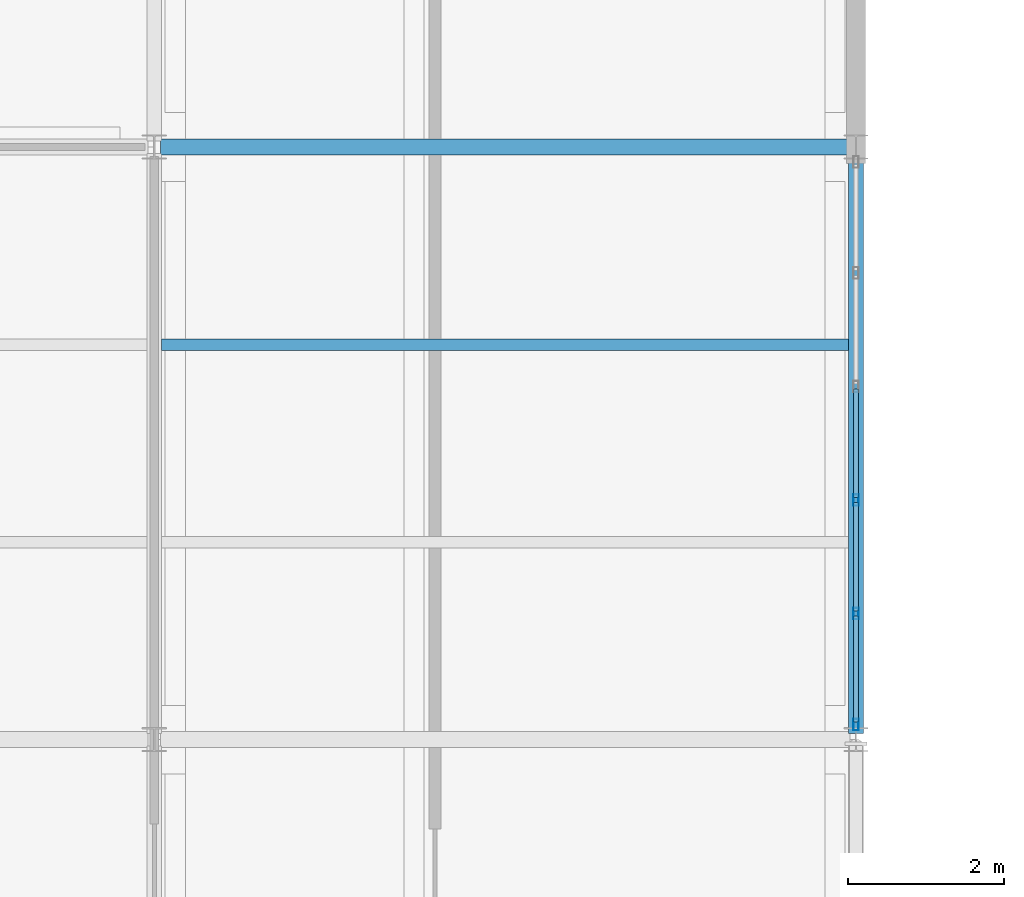
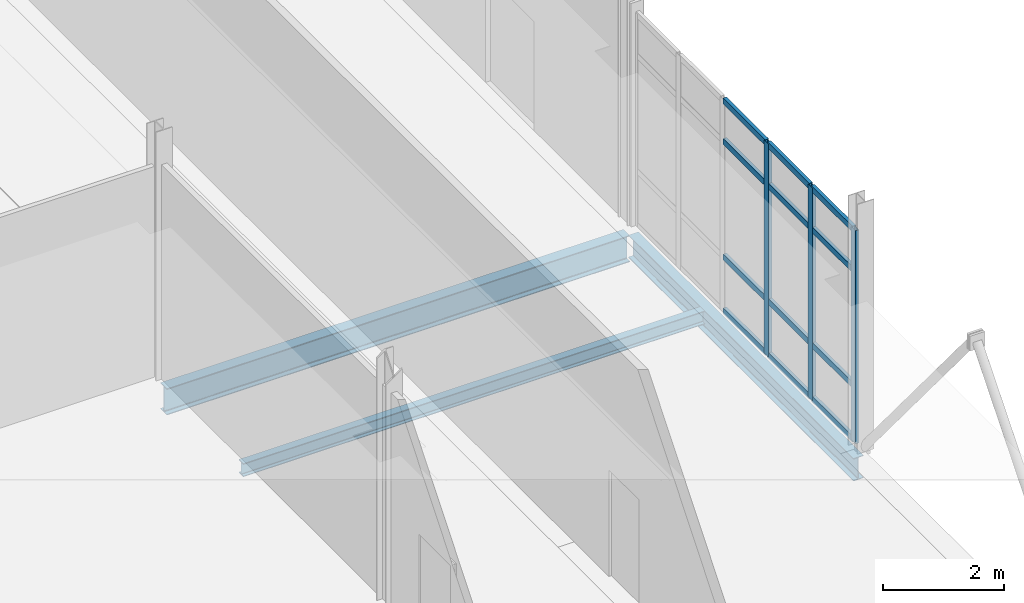
# One storey, part 115 of 161: 15 members, 3 beams, 1 element without a shape of its own.
"""IFC4 building model written with IfcOpenShell, lengths in metres."""

from ifc_helpers import new_model, si_unit, direction, frame, origin, origin_2d, place, context, subcontext, project, spatial, hollow_rectangle, i_section, extrude, material, material_profile, profile_set, type_object, element, aggregate, save


model = new_model("IFC4")

# Units and contexts
model_context = context("Model", 3, precision=1e-05, world=origin(), true_north=direction((0.0, 1.0)))
body_context = subcontext(model_context, "Body", "Model", "MODEL_VIEW")
ifc_project = project(units=[si_unit("LENGTHUNIT", "METRE"), si_unit("AREAUNIT", "SQUARE_METRE"), si_unit("VOLUMEUNIT", "CUBIC_METRE"), si_unit("PLANEANGLEUNIT", "RADIAN"), si_unit("MASSUNIT", "GRAM", prefix="KILO")], contexts=[model_context])

# Site, building, storey
site_placement = place(None, origin())
site = spatial("IfcSite", under=ifc_project, at=site_placement, CompositionType="ELEMENT")
building_placement = place(site_placement, origin())
building = spatial("IfcBuilding", under=site, at=building_placement, Name="Caisbarro Railhouse Central Library", CompositionType="ELEMENT")
storey_placement = place(building_placement, origin())
storey = spatial("IfcBuildingStorey", under=building, at=storey_placement, Name="L00", CompositionType="ELEMENT", Elevation=0.0)

# Beams
ifc_material_1 = material(Name="Steel ASTM A572 Grade 50", Category="steel")
ifc_material_profile_1 = material_profile(ifc_material_1, i_section(OverallWidth=0.208984375, OverallDepth=0.532958984375, WebThickness=0.01025390625, FlangeThickness=0.015625, FilletRadius=0.02001953125, at=origin_2d()), Name="W530X92.0")
ifc_profile_set_1 = profile_set([ifc_material_profile_1], Name="Steel ASTM A572 Grade 50")
beam_type_1 = type_object("IfcBeamType", Name="BM-G06", PredefinedType="BEAM", material=ifc_profile_set_1)
beam_1_placement = place(storey_placement, frame((144.080078125, 91.199951171875, -0.5166015625), z_axis=(1.0, 0.0, 0.0), x_axis=(0.0, 1.0, 0.0)))
element("IfcBeam", 1, at=beam_1_placement, inside=storey, type_object=beam_type_1, Name="G06 beam L00 #509", PredefinedType="BEAM", context=body_context, shape_type="SweptSolid", body=[
    extrude(i_section(OverallWidth=0.208984375, OverallDepth=0.532958984375, WebThickness=0.01025390625, FlangeThickness=0.015625, FilletRadius=0.02001953125, at=origin_2d()), origin(), (0.0, 0.0, 1.0), 8.83984375),
])
ifc_material_profile_2 = material_profile(ifc_material_1, i_section(OverallWidth=0.18994140625, OverallDepth=0.45703125, WebThickness=0.009033203125, FlangeThickness=0.014404296875, FilletRadius=0.01806640625, at=origin_2d()), Name="W460X74.0")
ifc_profile_set_2 = profile_set([ifc_material_profile_2], Name="Steel ASTM A572 Grade 50")
beam_type_2 = type_object("IfcBeamType", Name="BM-G08", PredefinedType="BEAM", material=ifc_profile_set_2)
beam_2_placement = place(storey_placement, frame((153.0, 83.679931640625, -0.478515625), z_axis=(0.0, 1.0, 0.0), x_axis=(-1.0, 0.0, 0.0)))
element("IfcBeam", 2, at=beam_2_placement, inside=storey, type_object=beam_type_2, Name="G08 beam L00 #553", PredefinedType="BEAM", context=body_context, shape_type="SweptSolid", body=[
    extrude(i_section(OverallWidth=0.18994140625, OverallDepth=0.45703125, WebThickness=0.009033203125, FlangeThickness=0.014404296875, FilletRadius=0.01806640625, at=origin_2d()), origin(), (0.0, 0.0, 1.0), 7.440185546875),
])
ifc_material_profile_3 = material_profile(ifc_material_1, i_section(OverallWidth=0.14794921875, OverallDepth=0.26611328125, WebThickness=0.007568359375, FlangeThickness=0.012939453125, FilletRadius=0.010009765625, at=origin_2d()), Name="W250X44.8")
ifc_profile_set_3 = profile_set([ifc_material_profile_3], Name="Steel ASTM A572 Grade 50")
beam_type_3 = type_object("IfcBeamType", Name="BM-J04", PredefinedType="JOIST", material=ifc_profile_set_3)
beam_3_placement = place(storey_placement, frame((144.094970703125, 88.666748046875, -0.383056640625), z_axis=(1.0, 0.0, 0.0), x_axis=(0.0, 1.0, 0.0)))
element("IfcBeam", 3, at=beam_3_placement, inside=storey, type_object=beam_type_3, Name="J04 beam L00 #606", PredefinedType="JOIST", context=body_context, shape_type="SweptSolid", body=[
    extrude(i_section(OverallWidth=0.14794921875, OverallDepth=0.26611328125, WebThickness=0.007568359375, FlangeThickness=0.012939453125, FilletRadius=0.010009765625, at=origin_2d()), origin(), (0.0, 0.0, 1.0), 8.81005859375),
])

# Curtain wall, members
ifc_material_2 = material(Name="Anodised architectural aluminium", Category="aluminium")
curtain_wall_type = type_object("IfcCurtainWallType", Name="CW-CW03", PredefinedType="NOTDEFINED", material=ifc_material_2)
curtain_wall_placement = place(storey_placement, origin())
curtain_wall = element("IfcCurtainWall", 4, at=curtain_wall_placement, inside=storey, type_object=curtain_wall_type, Name="CW03 curtain wall L00 #108", PredefinedType="NOTDEFINED")
ifc_material_profile_4 = material_profile(ifc_material_2, hollow_rectangle(XDim=0.06494140625, YDim=0.14990234375, WallThickness=0.00390625, at=origin_2d()), Name="ALU-MUL-65X150")
ifc_profile_set_4 = profile_set([ifc_material_profile_4], Name="Anodised architectural aluminium")
member_type_1 = type_object("IfcMemberType", Name="CWM-M02", PredefinedType="MULLION", material=ifc_profile_set_4)
member_1_placement = place(storey_placement, frame((153.0, 83.79248046875, 0.0), z_axis=(0.0, 0.0, 1.0), x_axis=(-1.0, 0.0, 0.0)))
member_1 = element("IfcMember", 5, at=member_1_placement, type_object=member_type_1, Name="CW03 mullion 1", PredefinedType="MULLION", context=body_context, shape_type="SweptSolid", body=[
    extrude(hollow_rectangle(XDim=0.06494140625, YDim=0.14990234375, WallThickness=0.00390625, at=origin_2d()), origin(), (0.0, 0.0, 1.0), 4.300048828125),
])
member_2_placement = place(storey_placement, frame((153.0, 85.216064453125, 0.0), z_axis=(0.0, 0.0, 1.0), x_axis=(-1.0, 0.0, 0.0)))
member_2 = element("IfcMember", 6, at=member_2_placement, type_object=member_type_1, Name="CW03 mullion 2", PredefinedType="MULLION", context=body_context, shape_type="SweptSolid", body=[
    extrude(hollow_rectangle(XDim=0.06494140625, YDim=0.14990234375, WallThickness=0.00390625, at=origin_2d()), origin(), (0.0, 0.0, 1.0), 4.300048828125),
])
member_3_placement = place(storey_placement, frame((153.0, 86.672119140625, 0.0), z_axis=(0.0, 0.0, 1.0), x_axis=(-1.0, 0.0, 0.0)))
member_3 = element("IfcMember", 7, at=member_3_placement, type_object=member_type_1, Name="CW03 mullion 3", PredefinedType="MULLION", context=body_context, shape_type="SweptSolid", body=[
    extrude(hollow_rectangle(XDim=0.06494140625, YDim=0.14990234375, WallThickness=0.00390625, at=origin_2d()), origin(), (0.0, 0.0, 1.0), 4.300048828125),
])
ifc_material_profile_5 = material_profile(ifc_material_2, hollow_rectangle(XDim=0.06494140625, YDim=0.1201171875, WallThickness=0.00341796875, at=origin_2d()), Name="ALU-TRN-65X120")
ifc_profile_set_5 = profile_set([ifc_material_profile_5], Name="Anodised architectural aluminium")
member_type_2 = type_object("IfcMemberType", Name="CWT-T02", PredefinedType="USERDEFINED", material=ifc_profile_set_5)
member_4_placement = place(storey_placement, frame((153.0, 83.824951171875, 0.032470703125), z_axis=(0.0, 1.0, 0.0), x_axis=(-1.0, 0.0, 0.0)))
member_4 = element("IfcMember", 8, at=member_4_placement, type_object=member_type_2, Name="CW03 transom 1.1", ObjectType="TRANSOM", PredefinedType="USERDEFINED", context=body_context, shape_type="SweptSolid", body=[
    extrude(hollow_rectangle(XDim=0.06494140625, YDim=0.1201171875, WallThickness=0.00341796875, at=origin_2d()), origin(), (0.0, 0.0, 1.0), 1.358642578125),
])
member_5_placement = place(storey_placement, frame((153.0, 83.824951171875, 1.1201171875), z_axis=(0.0, 1.0, 0.0), x_axis=(-1.0, 0.0, 0.0)))
member_5 = element("IfcMember", 9, at=member_5_placement, type_object=member_type_2, Name="CW03 transom 1.2", ObjectType="TRANSOM", PredefinedType="USERDEFINED", context=body_context, shape_type="SweptSolid", body=[
    extrude(hollow_rectangle(XDim=0.06494140625, YDim=0.1201171875, WallThickness=0.00341796875, at=origin_2d()), origin(), (0.0, 0.0, 1.0), 1.358642578125),
])
member_6_placement = place(storey_placement, frame((153.0, 83.824951171875, 3.449951171875), z_axis=(0.0, 1.0, 0.0), x_axis=(-1.0, 0.0, 0.0)))
member_6 = element("IfcMember", 10, at=member_6_placement, type_object=member_type_2, Name="CW03 transom 1.3", ObjectType="TRANSOM", PredefinedType="USERDEFINED", context=body_context, shape_type="SweptSolid", body=[
    extrude(hollow_rectangle(XDim=0.06494140625, YDim=0.1201171875, WallThickness=0.00341796875, at=origin_2d()), origin(), (0.0, 0.0, 1.0), 1.358642578125),
])
member_7_placement = place(storey_placement, frame((153.0, 83.824951171875, 4.267578125), z_axis=(0.0, 1.0, 0.0), x_axis=(-1.0, 0.0, 0.0)))
member_7 = element("IfcMember", 11, at=member_7_placement, type_object=member_type_2, Name="CW03 transom 1.4", ObjectType="TRANSOM", PredefinedType="USERDEFINED", context=body_context, shape_type="SweptSolid", body=[
    extrude(hollow_rectangle(XDim=0.06494140625, YDim=0.1201171875, WallThickness=0.00341796875, at=origin_2d()), origin(), (0.0, 0.0, 1.0), 1.358642578125),
])
member_8_placement = place(storey_placement, frame((153.0, 85.24853515625, 0.032470703125), z_axis=(0.0, 1.0, 0.0), x_axis=(-1.0, 0.0, 0.0)))
member_8 = element("IfcMember", 12, at=member_8_placement, type_object=member_type_2, Name="CW03 transom 2.1", ObjectType="TRANSOM", PredefinedType="USERDEFINED", context=body_context, shape_type="SweptSolid", body=[
    extrude(hollow_rectangle(XDim=0.06494140625, YDim=0.1201171875, WallThickness=0.00341796875, at=origin_2d()), origin(), (0.0, 0.0, 1.0), 1.390869140625),
])
member_9_placement = place(storey_placement, frame((153.0, 85.24853515625, 1.1201171875), z_axis=(0.0, 1.0, 0.0), x_axis=(-1.0, 0.0, 0.0)))
member_9 = element("IfcMember", 13, at=member_9_placement, type_object=member_type_2, Name="CW03 transom 2.2", ObjectType="TRANSOM", PredefinedType="USERDEFINED", context=body_context, shape_type="SweptSolid", body=[
    extrude(hollow_rectangle(XDim=0.06494140625, YDim=0.1201171875, WallThickness=0.00341796875, at=origin_2d()), origin(), (0.0, 0.0, 1.0), 1.390869140625),
])
member_10_placement = place(storey_placement, frame((153.0, 85.24853515625, 3.449951171875), z_axis=(0.0, 1.0, 0.0), x_axis=(-1.0, 0.0, 0.0)))
member_10 = element("IfcMember", 14, at=member_10_placement, type_object=member_type_2, Name="CW03 transom 2.3", ObjectType="TRANSOM", PredefinedType="USERDEFINED", context=body_context, shape_type="SweptSolid", body=[
    extrude(hollow_rectangle(XDim=0.06494140625, YDim=0.1201171875, WallThickness=0.00341796875, at=origin_2d()), origin(), (0.0, 0.0, 1.0), 1.390869140625),
])
member_11_placement = place(storey_placement, frame((153.0, 85.24853515625, 4.267578125), z_axis=(0.0, 1.0, 0.0), x_axis=(-1.0, 0.0, 0.0)))
member_11 = element("IfcMember", 15, at=member_11_placement, type_object=member_type_2, Name="CW03 transom 2.4", ObjectType="TRANSOM", PredefinedType="USERDEFINED", context=body_context, shape_type="SweptSolid", body=[
    extrude(hollow_rectangle(XDim=0.06494140625, YDim=0.1201171875, WallThickness=0.00341796875, at=origin_2d()), origin(), (0.0, 0.0, 1.0), 1.390869140625),
])
member_12_placement = place(storey_placement, frame((153.0, 86.70458984375, 0.032470703125), z_axis=(0.0, 1.0, 0.0), x_axis=(-1.0, 0.0, 0.0)))
member_12 = element("IfcMember", 16, at=member_12_placement, type_object=member_type_2, Name="CW03 transom 3.1", ObjectType="TRANSOM", PredefinedType="USERDEFINED", context=body_context, shape_type="SweptSolid", body=[
    extrude(hollow_rectangle(XDim=0.06494140625, YDim=0.1201171875, WallThickness=0.00341796875, at=origin_2d()), origin(), (0.0, 0.0, 1.0), 1.390869140625),
])
member_13_placement = place(storey_placement, frame((153.0, 86.70458984375, 1.1201171875), z_axis=(0.0, 1.0, 0.0), x_axis=(-1.0, 0.0, 0.0)))
member_13 = element("IfcMember", 17, at=member_13_placement, type_object=member_type_2, Name="CW03 transom 3.2", ObjectType="TRANSOM", PredefinedType="USERDEFINED", context=body_context, shape_type="SweptSolid", body=[
    extrude(hollow_rectangle(XDim=0.06494140625, YDim=0.1201171875, WallThickness=0.00341796875, at=origin_2d()), origin(), (0.0, 0.0, 1.0), 1.390869140625),
])
member_14_placement = place(storey_placement, frame((153.0, 86.70458984375, 3.449951171875), z_axis=(0.0, 1.0, 0.0), x_axis=(-1.0, 0.0, 0.0)))
member_14 = element("IfcMember", 18, at=member_14_placement, type_object=member_type_2, Name="CW03 transom 3.3", ObjectType="TRANSOM", PredefinedType="USERDEFINED", context=body_context, shape_type="SweptSolid", body=[
    extrude(hollow_rectangle(XDim=0.06494140625, YDim=0.1201171875, WallThickness=0.00341796875, at=origin_2d()), origin(), (0.0, 0.0, 1.0), 1.390869140625),
])
member_15_placement = place(storey_placement, frame((153.0, 86.70458984375, 4.267578125), z_axis=(0.0, 1.0, 0.0), x_axis=(-1.0, 0.0, 0.0)))
member_15 = element("IfcMember", 19, at=member_15_placement, type_object=member_type_2, Name="CW03 transom 3.4", ObjectType="TRANSOM", PredefinedType="USERDEFINED", context=body_context, shape_type="SweptSolid", body=[
    extrude(hollow_rectangle(XDim=0.06494140625, YDim=0.1201171875, WallThickness=0.00341796875, at=origin_2d()), origin(), (0.0, 0.0, 1.0), 1.390869140625),
])
aggregate(curtain_wall, [member_1, member_2, member_3, member_4, member_5, member_6, member_7, member_8, member_9, member_10, member_11, member_12, member_13, member_14, member_15])

save(model, "model.ifc")
